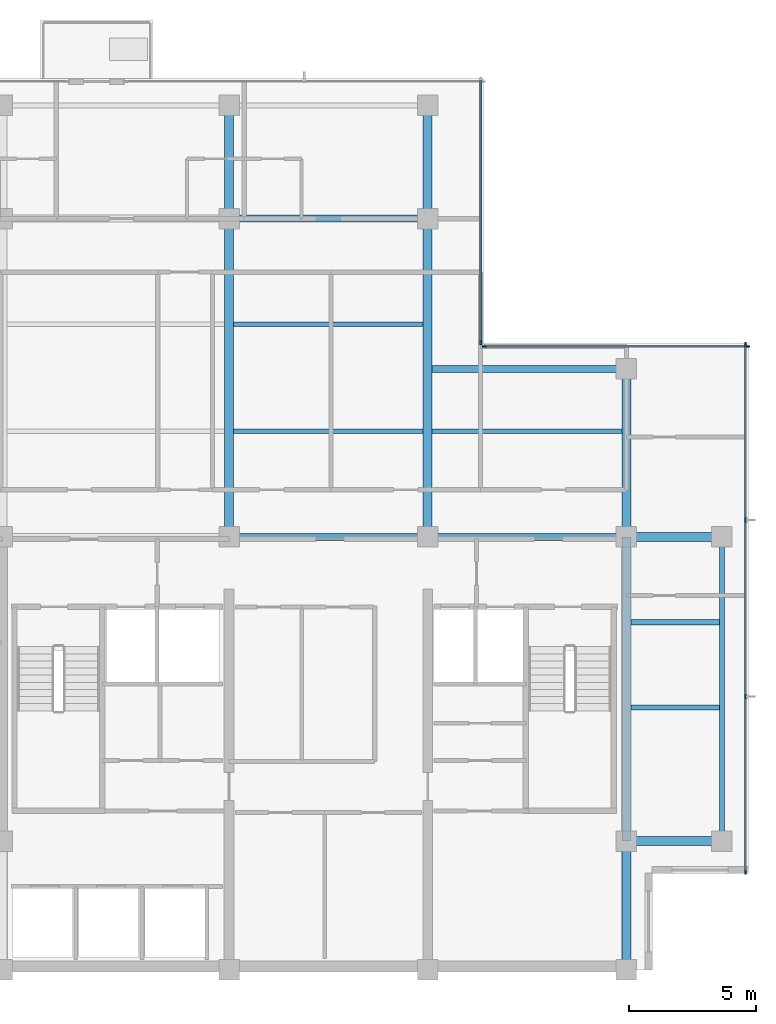
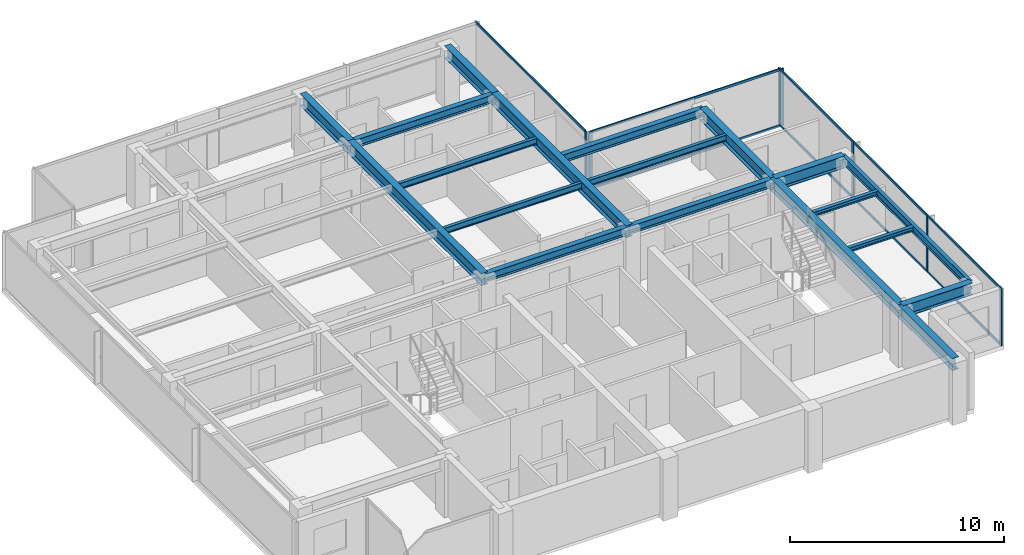
# One storey, part 3 of 11: 19 beams, 17 members, 3 elements without a shape of their own.
"""IFC4 building model written with IfcOpenShell, lengths in metres."""

from ifc_helpers import new_model, si_unit, direction, frame, origin, origin_2d, place, context, subcontext, project, spatial, rectangle, i_section, extrude, material, layer, layer_set, material_profile, profile_set, type_object, element, aggregate, save


model = new_model("IFC4")

# Units and contexts
model_context = context("Model", 3, precision=1e-05, world=origin(), true_north=direction((0.0, 1.0)))
body_context = subcontext(model_context, "Body", "Model", "MODEL_VIEW")
ifc_project = project(units=[si_unit("LENGTHUNIT", "METRE"), si_unit("AREAUNIT", "SQUARE_METRE"), si_unit("VOLUMEUNIT", "CUBIC_METRE"), si_unit("PLANEANGLEUNIT", "RADIAN"), si_unit("MASSUNIT", "GRAM", prefix="KILO")], contexts=[model_context])

# Site, building, storey
site_placement = place(None, origin())
site = spatial("IfcSite", under=ifc_project, at=site_placement, CompositionType="ELEMENT")
building_placement = place(site_placement, origin())
building = spatial("IfcBuilding", under=site, at=building_placement, Name="Qalmaran Belvedere Hotel", CompositionType="ELEMENT")
storey_placement = place(building_placement, frame((0.0, 0.0, 266.89990234375)))
storey = spatial("IfcBuildingStorey", under=building, at=storey_placement, Name="L69", CompositionType="ELEMENT", Elevation=266.89990234375)

# Beams
ifc_material_1 = material(Name="Steel S355JR", Category="steel")
ifc_material_profile_1 = material_profile(ifc_material_1, i_section(OverallWidth=0.201904296875, OverallDepth=0.2470703125, WebThickness=0.00732421875, FlangeThickness=0.010986328125, FilletRadius=0.011962890625, at=origin_2d()), Name="W250X49")
ifc_profile_set_1 = profile_set([ifc_material_profile_1], Name="Steel S355JR")
beam_type_1 = type_object("IfcBeamType", Name="BM-JST-W250X49", PredefinedType="JOIST", material=ifc_profile_set_1)
for number, where, z_axis, x_axis, name in (
    (1, (44.9755859375, 13.800048828125, 3.13671875), (1.0, 0.0, 0.0), (0.0, 1.0, 0.0), "L69 East Wing Joist 032"),
    (2, (44.9755859375, 17.14990234375, 3.13671875), (1.0, 0.0, 0.0), (0.0, 1.0, 0.0), "L69 East Wing Joist 034"),
):
    element("IfcBeam", number, at=place(storey_placement, frame(where, z_axis=z_axis, x_axis=x_axis)), inside=storey, type_object=beam_type_1, Name=name, PredefinedType="JOIST", context=body_context, shape_type="SweptSolid", body=[
        extrude(i_section(OverallWidth=0.201904296875, OverallDepth=0.2470703125, WebThickness=0.00732421875, FlangeThickness=0.010986328125, FilletRadius=0.011962890625, at=origin_2d()), origin(), (0.0, 0.0, 1.0), 3.48046875),
    ])
ifc_material_profile_2 = material_profile(ifc_material_1, i_section(OverallWidth=0.172119140625, OverallDepth=0.35791015625, WebThickness=0.0078125, FlangeThickness=0.01318359375, FilletRadius=0.014892578125, at=origin_2d()), Name="W360X57")
ifc_profile_set_2 = profile_set([ifc_material_profile_2], Name="Steel S355JR")
beam_type_2 = type_object("IfcBeamType", Name="BM-SB4-W360X57", PredefinedType="BEAM", material=ifc_profile_set_2)
for number, where, z_axis, x_axis, name in (
    (3, (29.37548828125, 24.64990234375, 3.0810546875), (1.0, 0.0, 0.0), (0.0, 1.0, 0.0), "L69 Secondary Floor Beam 026"),
    (4, (37.175537109375, 24.64990234375, 3.0810546875), (1.0, 0.0, 0.0), (0.0, 1.0, 0.0), "L69 Secondary Floor Beam 027"),
    (5, (29.37548828125, 28.85009765625, 3.0810546875), (1.0, 0.0, 0.0), (0.0, 1.0, 0.0), "L69 Secondary Floor Beam 030"),
):
    element("IfcBeam", number, at=place(storey_placement, frame(where, z_axis=z_axis, x_axis=x_axis)), inside=storey, type_object=beam_type_2, Name=name, PredefinedType="BEAM", context=body_context, shape_type="SweptSolid", body=[
        extrude(i_section(OverallWidth=0.172119140625, OverallDepth=0.35791015625, WebThickness=0.0078125, FlangeThickness=0.01318359375, FilletRadius=0.014892578125, at=origin_2d()), origin(), (0.0, 0.0, 1.0), 7.448974609375),
    ])
ifc_material_profile_3 = material_profile(ifc_material_1, i_section(OverallWidth=0.19189453125, OverallDepth=0.462890625, WebThickness=0.010498046875, FlangeThickness=0.017578125, FilletRadius=0.01611328125, at=origin_2d()), Name="W460X89")
ifc_profile_set_3 = profile_set([ifc_material_profile_3], Name="Steel S355JR")
beam_type_3 = type_object("IfcBeamType", Name="BM-SP2-W460X89", PredefinedType="SPANDREL", material=ifc_profile_set_3)
beam_1_placement = place(storey_placement, frame((48.550048828125, 8.550048828125, 3.028564453125), z_axis=(0.0, 1.0, 0.0), x_axis=(-1.0, 0.0, 0.0)))
element("IfcBeam", 6, at=beam_1_placement, inside=storey, type_object=beam_type_3, Name="L69 Perimeter Spandrel 03", PredefinedType="SPANDREL", context=body_context, shape_type="SweptSolid", body=[
    extrude(i_section(OverallWidth=0.19189453125, OverallDepth=0.462890625, WebThickness=0.010498046875, FlangeThickness=0.017578125, FilletRadius=0.01611328125, at=origin_2d()), origin(), (0.0, 0.0, 1.0), 11.949951171875),
])
ifc_material_profile_4 = material_profile(ifc_material_1, i_section(OverallWidth=0.35498046875, OverallDepth=0.695068359375, WebThickness=0.015380859375, FlangeThickness=0.02490234375, FilletRadius=0.02197265625, at=origin_2d()), Name="W690X217")
ifc_profile_set_4 = profile_set([ifc_material_profile_4], Name="Steel S355JR")
beam_type_4 = type_object("IfcBeamType", Name="BM-Z1-W690X217", PredefinedType="USERDEFINED", material=ifc_profile_set_4)
beam_2_placement = place(storey_placement, frame((29.199951171875, 20.5, 2.91259765625), z_axis=(0.0, 1.0, 0.0), x_axis=(-1.0, 0.0, 0.0)))
element("IfcBeam", 7, at=beam_2_placement, inside=storey, type_object=beam_type_4, Name="L69 Mid-Plate N-S Girder 13", ObjectType="GIRDER", PredefinedType="USERDEFINED", context=body_context, shape_type="SweptSolid", body=[
    extrude(i_section(OverallWidth=0.35498046875, OverallDepth=0.695068359375, WebThickness=0.015380859375, FlangeThickness=0.02490234375, FilletRadius=0.02197265625, at=origin_2d()), origin(), (0.0, 0.0, 1.0), 12.5),
])
beam_3_placement = place(storey_placement, frame((29.199951171875, 33.0, 2.91259765625), z_axis=(0.0, 1.0, 0.0), x_axis=(-1.0, 0.0, 0.0)))
element("IfcBeam", 8, at=beam_3_placement, inside=storey, type_object=beam_type_4, Name="L69 North Bay Girder 14", ObjectType="GIRDER", PredefinedType="USERDEFINED", context=body_context, shape_type="SweptSolid", body=[
    extrude(i_section(OverallWidth=0.35498046875, OverallDepth=0.695068359375, WebThickness=0.015380859375, FlangeThickness=0.02490234375, FilletRadius=0.02197265625, at=origin_2d()), origin(), (0.0, 0.0, 1.0), 4.449951171875),
])
beam_4_placement = place(storey_placement, frame((37.0, 20.5, 2.91259765625), z_axis=(0.0, 1.0, 0.0), x_axis=(-1.0, 0.0, 0.0)))
element("IfcBeam", 9, at=beam_4_placement, inside=storey, type_object=beam_type_4, Name="L69 Mid-Plate N-S Girder 15", ObjectType="GIRDER", PredefinedType="USERDEFINED", context=body_context, shape_type="SweptSolid", body=[
    extrude(i_section(OverallWidth=0.35498046875, OverallDepth=0.695068359375, WebThickness=0.015380859375, FlangeThickness=0.02490234375, FilletRadius=0.02197265625, at=origin_2d()), origin(), (0.0, 0.0, 1.0), 12.5),
])
beam_5_placement = place(storey_placement, frame((37.0, 33.0, 2.91259765625), z_axis=(0.0, 1.0, 0.0), x_axis=(-1.0, 0.0, 0.0)))
element("IfcBeam", 10, at=beam_5_placement, inside=storey, type_object=beam_type_4, Name="L69 North Bay Girder 16", ObjectType="GIRDER", PredefinedType="USERDEFINED", context=body_context, shape_type="SweptSolid", body=[
    extrude(i_section(OverallWidth=0.35498046875, OverallDepth=0.695068359375, WebThickness=0.015380859375, FlangeThickness=0.02490234375, FilletRadius=0.02197265625, at=origin_2d()), origin(), (0.0, 0.0, 1.0), 4.449951171875),
])
beam_6_placement = place(storey_placement, frame((44.800048828125, 20.5, 2.91259765625), z_axis=(0.0, 1.0, 0.0), x_axis=(-1.0, 0.0, 0.0)))
element("IfcBeam", 11, at=beam_6_placement, inside=storey, type_object=beam_type_4, Name="L69 Mid-Plate N-S Girder 17", ObjectType="GIRDER", PredefinedType="USERDEFINED", context=body_context, shape_type="SweptSolid", body=[
    extrude(i_section(OverallWidth=0.35498046875, OverallDepth=0.695068359375, WebThickness=0.015380859375, FlangeThickness=0.02490234375, FilletRadius=0.02197265625, at=origin_2d()), origin(), (0.0, 0.0, 1.0), 6.60009765625),
])
beam_7_placement = place(storey_placement, frame((44.800048828125, 3.5, 2.91259765625), z_axis=(0.0, 1.0, 0.0), x_axis=(-1.0, 0.0, 0.0)))
element("IfcBeam", 12, at=beam_7_placement, inside=storey, type_object=beam_type_4, Name="L69 East Core Edge Girder A", ObjectType="GIRDER", PredefinedType="USERDEFINED", context=body_context, shape_type="SweptSolid", body=[
    extrude(i_section(OverallWidth=0.35498046875, OverallDepth=0.695068359375, WebThickness=0.015380859375, FlangeThickness=0.02490234375, FilletRadius=0.02197265625, at=origin_2d()), origin(), (0.0, 0.0, 1.0), 5.050048828125),
])
beam_8_placement = place(storey_placement, frame((44.800048828125, 8.550048828125, 2.91259765625), z_axis=(0.0, 1.0, 0.0), x_axis=(-1.0, 0.0, 0.0)))
element("IfcBeam", 13, at=beam_8_placement, inside=storey, type_object=beam_type_4, Name="L69 East Core Edge Girder B", ObjectType="GIRDER", PredefinedType="USERDEFINED", context=body_context, shape_type="SweptSolid", body=[
    extrude(i_section(OverallWidth=0.35498046875, OverallDepth=0.695068359375, WebThickness=0.015380859375, FlangeThickness=0.02490234375, FilletRadius=0.02197265625, at=origin_2d()), origin(), (0.0, 0.0, 1.0), 11.949951171875),
])
for number, where, z_axis, x_axis, name in (
    (14, (44.800048828125, 8.550048828125, 2.91259765625), (1.0, 0.0, 0.0), (0.0, 1.0, 0.0), "L69 East Wing Girder 22"),
    (15, (44.800048828125, 20.5, 2.91259765625), (1.0, 0.0, 0.0), (0.0, 1.0, 0.0), "L69 East Wing Girder 23"),
):
    element("IfcBeam", number, at=place(storey_placement, frame(where, z_axis=z_axis, x_axis=x_axis)), inside=storey, type_object=beam_type_4, Name=name, ObjectType="GIRDER", PredefinedType="USERDEFINED", context=body_context, shape_type="SweptSolid", body=[
        extrude(i_section(OverallWidth=0.35498046875, OverallDepth=0.695068359375, WebThickness=0.015380859375, FlangeThickness=0.02490234375, FilletRadius=0.02197265625, at=origin_2d()), origin(), (0.0, 0.0, 1.0), 3.75),
    ])
ifc_material_profile_5 = material_profile(ifc_material_1, i_section(OverallWidth=0.280029296875, OverallDepth=0.462890625, WebThickness=0.0107421875, FlangeThickness=0.017333984375, FilletRadius=0.01611328125, at=origin_2d()), Name="W460X113")
ifc_profile_set_5 = profile_set([ifc_material_profile_5], Name="Steel S355JR")
beam_type_5 = type_object("IfcBeamType", Name="BM-Z5-W460X113", PredefinedType="USERDEFINED", material=ifc_profile_set_5)
for number, where, z_axis, x_axis, name in (
    (16, (29.199951171875, 20.5, 3.028564453125), (1.0, 0.0, 0.0), (0.0, 1.0, 0.0), "L69 Interior E-W Girder 07"),
    (17, (37.0, 20.5, 3.028564453125), (1.0, 0.0, 0.0), (0.0, 1.0, 0.0), "L69 Interior E-W Girder 08"),
    (18, (29.199951171875, 33.0, 3.028564453125), (1.0, 0.0, 0.0), (0.0, 1.0, 0.0), "L69 Interior E-W Girder 10"),
):
    element("IfcBeam", number, at=place(storey_placement, frame(where, z_axis=z_axis, x_axis=x_axis)), inside=storey, type_object=beam_type_5, Name=name, ObjectType="GIRDER", PredefinedType="USERDEFINED", context=body_context, shape_type="SweptSolid", body=[
        extrude(i_section(OverallWidth=0.280029296875, OverallDepth=0.462890625, WebThickness=0.0107421875, FlangeThickness=0.017333984375, FilletRadius=0.01611328125, at=origin_2d()), origin(), (0.0, 0.0, 1.0), 7.800048828125),
    ])
beam_9_placement = place(storey_placement, frame((37.175537109375, 27.10009765625, 3.028564453125), z_axis=(1.0, 0.0, 0.0), x_axis=(0.0, 1.0, 0.0)))
element("IfcBeam", 19, at=beam_9_placement, inside=storey, type_object=beam_type_5, Name="L69 North-East Notch Rim Girder", ObjectType="GIRDER", PredefinedType="USERDEFINED", context=body_context, shape_type="SweptSolid", body=[
    extrude(i_section(OverallWidth=0.280029296875, OverallDepth=0.462890625, WebThickness=0.0107421875, FlangeThickness=0.017333984375, FilletRadius=0.01611328125, at=origin_2d()), origin(), (0.0, 0.0, 1.0), 7.62451171875),
])

# Curtain wall, members
ifc_material_2 = material(Name="Anodised Bronze Aluminium", Category="aluminium")
ifc_layer = layer(ifc_material_2, 0.18505859375, Name="Anodised Bronze Aluminium")
ifc_layer_set = layer_set([ifc_layer], Name="Anodised Bronze Aluminium")
curtain_wall_type = type_object("IfcCurtainWallType", Name="CW6-TOWER-SKY", PredefinedType="NOTDEFINED", material=ifc_layer_set)
curtain_wall_1_placement = place(storey_placement, origin())
curtain_wall_1 = element("IfcCurtainWall", 20, at=curtain_wall_1_placement, inside=storey, type_object=curtain_wall_type, Name="L69 Curtain Wall CW6", PredefinedType="NOTDEFINED")
ifc_material_profile_6 = material_profile(ifc_material_2, rectangle(XDim=0.06494140625, YDim=0.1650390625, at=origin_2d()), Name="CWM65X165")
ifc_profile_set_6 = profile_set([ifc_material_profile_6], Name="Anodised Bronze Aluminium")
member_type_1 = type_object("IfcMemberType", Name="CWM-65X165", PredefinedType="MULLION", material=ifc_profile_set_6)
member_1_placement = place(storey_placement, frame((49.47998046875, 7.33251953125, 0.0), z_axis=(0.0, 0.0, 1.0), x_axis=(-1.0, 0.0, 0.0)))
member_1 = element("IfcMember", 21, at=member_1_placement, type_object=member_type_1, Name="CW6 mullion 1", PredefinedType="MULLION", context=body_context, shape_type="SweptSolid", body=[
    extrude(rectangle(XDim=0.06494140625, YDim=0.1650390625, at=origin_2d()), origin(), (0.0, 0.0, 1.0), 3.260009765625),
])
member_2_placement = place(storey_placement, frame((49.47998046875, 14.2333984375, 0.0), z_axis=(0.0, 0.0, 1.0), x_axis=(-1.0, 0.0, 0.0)))
member_2 = element("IfcMember", 22, at=member_2_placement, type_object=member_type_1, Name="CW6 mullion 2", PredefinedType="MULLION", context=body_context, shape_type="SweptSolid", body=[
    extrude(rectangle(XDim=0.06494140625, YDim=0.1650390625, at=origin_2d()), origin(), (0.0, 0.0, 1.0), 3.260009765625),
])
member_3_placement = place(storey_placement, frame((49.47998046875, 21.166748046875, 0.0), z_axis=(0.0, 0.0, 1.0), x_axis=(-1.0, 0.0, 0.0)))
member_3 = element("IfcMember", 23, at=member_3_placement, type_object=member_type_1, Name="CW6 mullion 3", PredefinedType="MULLION", context=body_context, shape_type="SweptSolid", body=[
    extrude(rectangle(XDim=0.06494140625, YDim=0.1650390625, at=origin_2d()), origin(), (0.0, 0.0, 1.0), 3.260009765625),
])
member_4_placement = place(storey_placement, frame((49.47998046875, 28.0673828125, 0.0), z_axis=(0.0, 0.0, 1.0), x_axis=(-1.0, 0.0, 0.0)))
member_4 = element("IfcMember", 24, at=member_4_placement, type_object=member_type_1, Name="CW6 mullion 4", PredefinedType="MULLION", context=body_context, shape_type="SweptSolid", body=[
    extrude(rectangle(XDim=0.06494140625, YDim=0.1650390625, at=origin_2d()), origin(), (0.0, 0.0, 1.0), 3.260009765625),
])

curtain_wall_2_placement = place(storey_placement, origin())
curtain_wall_2 = element("IfcCurtainWall", 25, at=curtain_wall_2_placement, inside=storey, type_object=curtain_wall_type, Name="L69 Curtain Wall CW6", PredefinedType="NOTDEFINED")
member_5_placement = place(storey_placement, frame((49.5673828125, 27.97998046875, 0.0), z_axis=(0.0, 0.0, 1.0), x_axis=(0.0, -1.0, 0.0)))
member_5 = element("IfcMember", 26, at=member_5_placement, type_object=member_type_1, Name="CW6 mullion 1", PredefinedType="MULLION", context=body_context, shape_type="SweptSolid", body=[
    extrude(rectangle(XDim=0.06494140625, YDim=0.1650390625, at=origin_2d()), origin(), (0.0, 0.0, 1.0), 3.260009765625),
])
member_6_placement = place(storey_placement, frame((39.232421875, 27.97998046875, 0.0), z_axis=(0.0, 0.0, 1.0), x_axis=(0.0, -1.0, 0.0)))
member_6 = element("IfcMember", 27, at=member_6_placement, type_object=member_type_1, Name="CW6 mullion 2", PredefinedType="MULLION", context=body_context, shape_type="SweptSolid", body=[
    extrude(rectangle(XDim=0.06494140625, YDim=0.1650390625, at=origin_2d()), origin(), (0.0, 0.0, 1.0), 3.260009765625),
])

# Curtain wall, member
curtain_wall_3_placement = place(storey_placement, origin())
curtain_wall_3 = element("IfcCurtainWall", 28, at=curtain_wall_3_placement, inside=storey, type_object=curtain_wall_type, Name="L69 Curtain Wall CW6", PredefinedType="NOTDEFINED")
member_7_placement = place(storey_placement, frame((39.080078125, 28.132568359375, 0.0), z_axis=(0.0, 0.0, 1.0), x_axis=(-1.0, 0.0, 0.0)))
member_7 = element("IfcMember", 29, at=member_7_placement, type_object=member_type_1, Name="CW6 mullion 1", PredefinedType="MULLION", context=body_context, shape_type="SweptSolid", body=[
    extrude(rectangle(XDim=0.06494140625, YDim=0.1650390625, at=origin_2d()), origin(), (0.0, 0.0, 1.0), 3.260009765625),
])

# Member
ifc_material_profile_7 = material_profile(ifc_material_2, rectangle(XDim=0.06494140625, YDim=0.1298828125, at=origin_2d()), Name="CWT65X130")
ifc_profile_set_7 = profile_set([ifc_material_profile_7], Name="Anodised Bronze Aluminium")
member_type_2 = type_object("IfcMemberType", Name="CWT-65X130", PredefinedType="USERDEFINED", material=ifc_profile_set_7)
member_8_placement = place(storey_placement, frame((49.47998046875, 7.364990234375, 0.03271484375), z_axis=(0.0, 1.0, 0.0), x_axis=(-1.0, 0.0, 0.0)))
member_8 = element("IfcMember", 30, at=member_8_placement, type_object=member_type_2, Name="CW6 transom 1.1", ObjectType="TRANSOM", PredefinedType="USERDEFINED", context=body_context, shape_type="SweptSolid", body=[
    extrude(rectangle(XDim=0.06494140625, YDim=0.1298828125, at=origin_2d()), origin(), (0.0, 0.0, 1.0), 6.8359375),
])

member_9_placement = place(storey_placement, frame((49.47998046875, 7.364990234375, 3.2275390625), z_axis=(0.0, 1.0, 0.0), x_axis=(-1.0, 0.0, 0.0)))
member_9 = element("IfcMember", 31, at=member_9_placement, type_object=member_type_2, Name="CW6 transom 1.2", ObjectType="TRANSOM", PredefinedType="USERDEFINED", context=body_context, shape_type="SweptSolid", body=[
    extrude(rectangle(XDim=0.06494140625, YDim=0.1298828125, at=origin_2d()), origin(), (0.0, 0.0, 1.0), 6.8359375),
])

member_10_placement = place(storey_placement, frame((49.47998046875, 14.265869140625, 0.03271484375), z_axis=(0.0, 1.0, 0.0), x_axis=(-1.0, 0.0, 0.0)))
member_10 = element("IfcMember", 32, at=member_10_placement, type_object=member_type_2, Name="CW6 transom 2.1", ObjectType="TRANSOM", PredefinedType="USERDEFINED", context=body_context, shape_type="SweptSolid", body=[
    extrude(rectangle(XDim=0.06494140625, YDim=0.1298828125, at=origin_2d()), origin(), (0.0, 0.0, 1.0), 6.868408203125),
])

member_11_placement = place(storey_placement, frame((49.47998046875, 14.265869140625, 3.2275390625), z_axis=(0.0, 1.0, 0.0), x_axis=(-1.0, 0.0, 0.0)))
member_11 = element("IfcMember", 33, at=member_11_placement, type_object=member_type_2, Name="CW6 transom 2.2", ObjectType="TRANSOM", PredefinedType="USERDEFINED", context=body_context, shape_type="SweptSolid", body=[
    extrude(rectangle(XDim=0.06494140625, YDim=0.1298828125, at=origin_2d()), origin(), (0.0, 0.0, 1.0), 6.868408203125),
])

member_12_placement = place(storey_placement, frame((49.47998046875, 21.19921875, 0.03271484375), z_axis=(0.0, 1.0, 0.0), x_axis=(-1.0, 0.0, 0.0)))
member_12 = element("IfcMember", 34, at=member_12_placement, type_object=member_type_2, Name="CW6 transom 3.1", ObjectType="TRANSOM", PredefinedType="USERDEFINED", context=body_context, shape_type="SweptSolid", body=[
    extrude(rectangle(XDim=0.06494140625, YDim=0.1298828125, at=origin_2d()), origin(), (0.0, 0.0, 1.0), 6.835693359375),
])

member_13_placement = place(storey_placement, frame((49.47998046875, 21.19921875, 3.2275390625), z_axis=(0.0, 1.0, 0.0), x_axis=(-1.0, 0.0, 0.0)))
member_13 = element("IfcMember", 35, at=member_13_placement, type_object=member_type_2, Name="CW6 transom 3.2", ObjectType="TRANSOM", PredefinedType="USERDEFINED", context=body_context, shape_type="SweptSolid", body=[
    extrude(rectangle(XDim=0.06494140625, YDim=0.1298828125, at=origin_2d()), origin(), (0.0, 0.0, 1.0), 6.835693359375),
])

aggregate(curtain_wall_1, [member_1, member_2, member_3, member_4, member_8, member_9, member_10, member_11, member_12, member_13])

member_14_placement = place(storey_placement, frame((49.534912109375, 27.97998046875, 0.03271484375), z_axis=(-1.0, 0.0, 0.0), x_axis=(0.0, -1.0, 0.0)))
member_14 = element("IfcMember", 36, at=member_14_placement, type_object=member_type_2, Name="CW6 transom 1.1", ObjectType="TRANSOM", PredefinedType="USERDEFINED", context=body_context, shape_type="SweptSolid", body=[
    extrude(rectangle(XDim=0.06494140625, YDim=0.1298828125, at=origin_2d()), origin(), (0.0, 0.0, 1.0), 10.27001953125),
])

member_15_placement = place(storey_placement, frame((49.534912109375, 27.97998046875, 3.2275390625), z_axis=(-1.0, 0.0, 0.0), x_axis=(0.0, -1.0, 0.0)))
member_15 = element("IfcMember", 37, at=member_15_placement, type_object=member_type_2, Name="CW6 transom 1.2", ObjectType="TRANSOM", PredefinedType="USERDEFINED", context=body_context, shape_type="SweptSolid", body=[
    extrude(rectangle(XDim=0.06494140625, YDim=0.1298828125, at=origin_2d()), origin(), (0.0, 0.0, 1.0), 10.27001953125),
])

aggregate(curtain_wall_2, [member_5, member_6, member_14, member_15])

member_16_placement = place(storey_placement, frame((39.080078125, 28.1650390625, 0.03271484375), z_axis=(0.0, 1.0, 0.0), x_axis=(-1.0, 0.0, 0.0)))
member_16 = element("IfcMember", 38, at=member_16_placement, type_object=member_type_2, Name="CW6 transom 1.1", ObjectType="TRANSOM", PredefinedType="USERDEFINED", context=body_context, shape_type="SweptSolid", body=[
    extrude(rectangle(XDim=0.06494140625, YDim=0.1298828125, at=origin_2d()), origin(), (0.0, 0.0, 1.0), 10.27001953125),
])

member_17_placement = place(storey_placement, frame((39.080078125, 28.1650390625, 3.2275390625), z_axis=(0.0, 1.0, 0.0), x_axis=(-1.0, 0.0, 0.0)))
member_17 = element("IfcMember", 39, at=member_17_placement, type_object=member_type_2, Name="CW6 transom 1.2", ObjectType="TRANSOM", PredefinedType="USERDEFINED", context=body_context, shape_type="SweptSolid", body=[
    extrude(rectangle(XDim=0.06494140625, YDim=0.1298828125, at=origin_2d()), origin(), (0.0, 0.0, 1.0), 10.27001953125),
])

aggregate(curtain_wall_3, [member_7, member_16, member_17])

save(model, "model.ifc")
